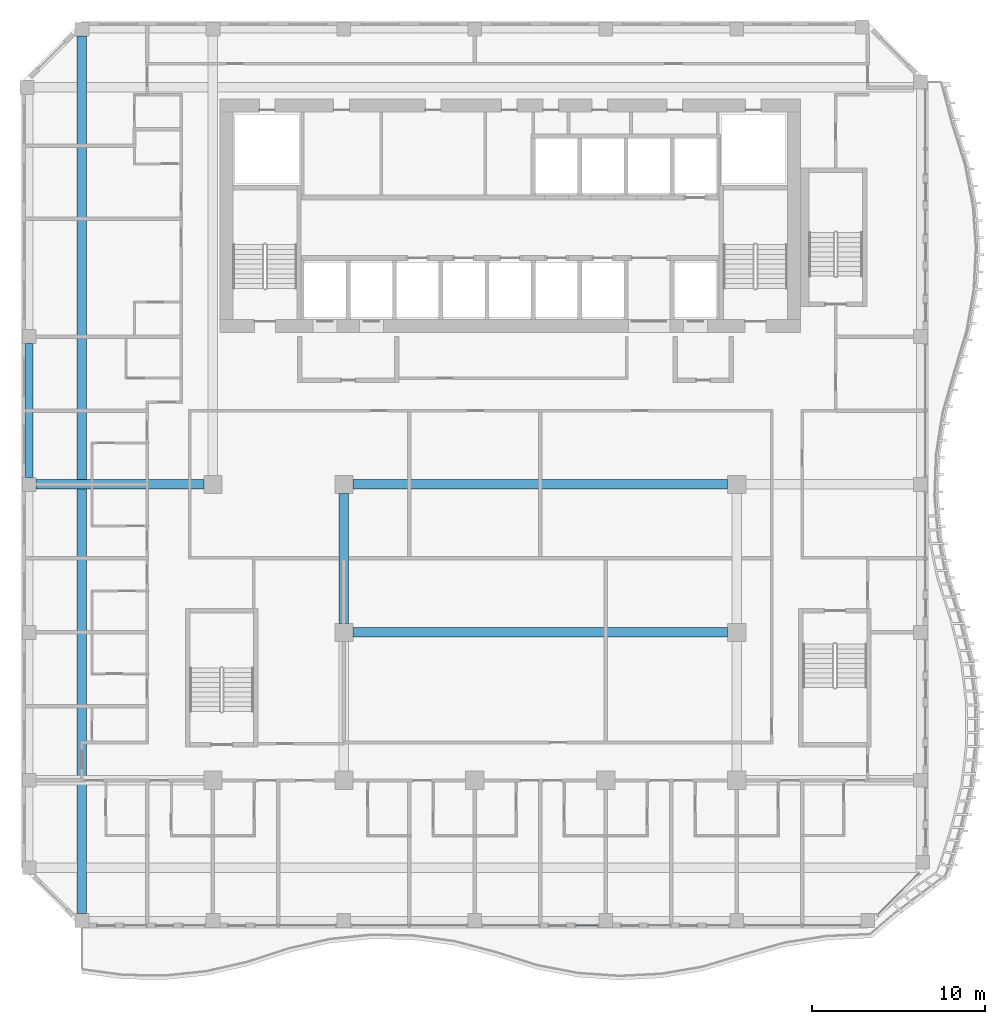
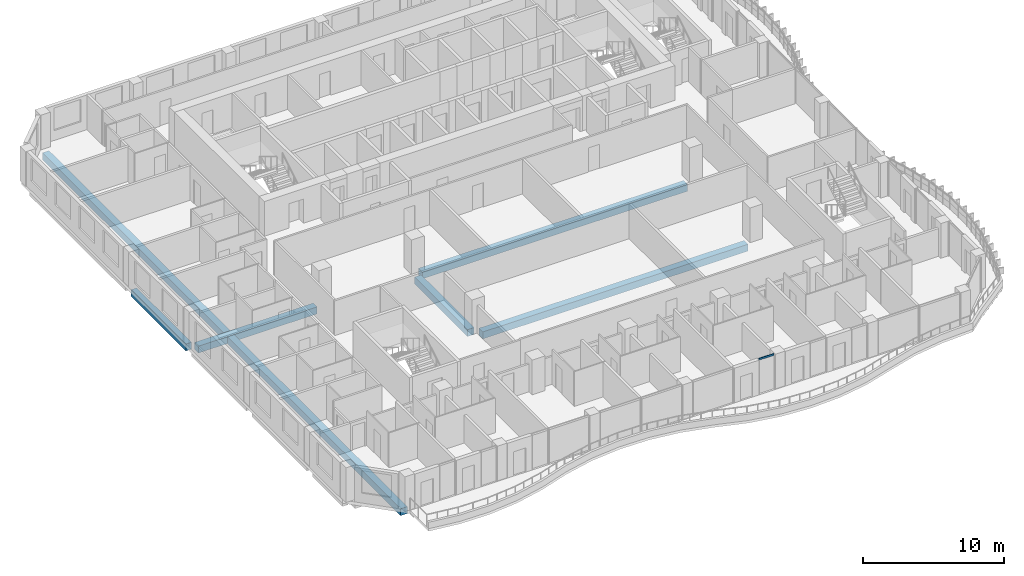
# One storey, part 5 of 24: 6 beams, 1 member, 1 element without a shape of its own.
"""IFC4 building model written with IfcOpenShell, lengths in metres."""

from ifc_helpers import new_model, si_unit, direction, frame, origin, origin_2d, place, context, subcontext, project, spatial, rectangle, extrude, source, transform, mapped, material, material_profile, profile_set, type_object, element, aggregate, save


model = new_model("IFC4")

# Units and contexts
model_context = context("Model", 3, precision=1e-05, world=origin(), true_north=direction((0.0, 1.0)))
body_context = subcontext(model_context, "Body", "Model", "MODEL_VIEW")
ifc_project = project(units=[si_unit("LENGTHUNIT", "METRE"), si_unit("AREAUNIT", "SQUARE_METRE"), si_unit("VOLUMEUNIT", "CUBIC_METRE"), si_unit("PLANEANGLEUNIT", "RADIAN"), si_unit("MASSUNIT", "GRAM", prefix="KILO")], contexts=[model_context])

# Site, building, storey
site_placement = place(None, origin())
site = spatial("IfcSite", under=ifc_project, at=site_placement, CompositionType="ELEMENT")
building_placement = place(site_placement, origin())
building = spatial("IfcBuilding", under=site, at=building_placement, Name="Kilnfold Tower and Market Hall", CompositionType="ELEMENT")
storey_placement = place(building_placement, frame((0.0, 0.0, 192.300048828125)))
storey = spatial("IfcBuildingStorey", under=building, at=storey_placement, Name="L46", CompositionType="ELEMENT", Elevation=192.300048828125)

# Beams
ifc_material_1 = material(Name="Concrete C45", Category="concrete")
ifc_material_profile_1 = material_profile(ifc_material_1, rectangle(XDim=0.550048828125, YDim=0.60009765625, at=origin_2d()), Name="RC 550x600")
ifc_profile_set_1 = profile_set([ifc_material_profile_1], Name="Concrete C45")
beam_type_1 = type_object("IfcBeamType", Name="BEAM 550X600 C45", PredefinedType="BEAM", material=ifc_profile_set_1)
shared_shape_1 = source(origin(), body_context, "Body", "SweptSolid", [
    extrude(rectangle(XDim=0.550048828125, YDim=0.60009765625, at=origin_2d()), origin(), (0.0, 0.0, 1.0), 50.7998046875),
])
beam_1_placement = place(storey_placement, frame((-23.75, -25.39990234375, -0.580078125), z_axis=(0.0, 1.0, 0.0), x_axis=(-1.0, 0.0, 0.0)))
element("IfcBeam", 1, at=beam_1_placement, inside=storey, type_object=beam_type_1, Name="Beam BB600-B5.70", PredefinedType="BEAM", context=body_context, shape_type="MappedRepresentation", body=[
    mapped(shared_shape_1, transform((0.0, 0.0, 0.0))),
])
shared_shape_2 = source(origin(), body_context, "Body", "SweptSolid", [
    extrude(rectangle(XDim=0.550048828125, YDim=0.60009765625, at=origin_2d()), origin(), (0.0, 0.0, 1.0), 9.708251953125),
])
beam_2_placement = place(storey_placement, frame((-26.39990234375, -0.56005859375, -0.580078125), z_axis=(1.0, 0.0, 0.0), x_axis=(0.0, 1.0, 0.0)))
element("IfcBeam", 2, at=beam_2_placement, inside=storey, type_object=beam_type_1, Name="Beam BB600-B5.55", PredefinedType="BEAM", context=body_context, shape_type="MappedRepresentation", body=[
    mapped(shared_shape_2, transform((0.0, 0.0, 0.0))),
])
shared_shape_3 = source(origin(), body_context, "Body", "SweptSolid", [
    extrude(rectangle(XDim=0.550048828125, YDim=0.60009765625, at=origin_2d()), origin(), (0.0, 0.0, 1.0), 21.699951171875),
])
for number, where, z_axis, x_axis, name in (
    (3, (-8.058349609375, -9.1201171875, -0.580078125), (1.0, 0.0, 0.0), (0.0, 1.0, 0.0), "Beam BB600-B5.54"),
    (4, (-8.058349609375, -0.56005859375, -0.580078125), (1.0, 0.0, 0.0), (0.0, 1.0, 0.0), "Beam BB600-B5.56"),
):
    element("IfcBeam", number, at=place(storey_placement, frame(where, z_axis=z_axis, x_axis=x_axis)), inside=storey, type_object=beam_type_1, Name=name, PredefinedType="BEAM", context=body_context, shape_type="MappedRepresentation", body=[
        mapped(shared_shape_3, transform((0.0, 0.0, 0.0))),
    ])
ifc_material_2 = material(Name="Concrete C45", Category="concrete")
ifc_material_profile_2 = material_profile(ifc_material_2, rectangle(XDim=0.449951171875, YDim=0.60009765625, at=origin_2d()), Name="RC 450x600")
ifc_profile_set_2 = profile_set([ifc_material_profile_2], Name="Concrete C45")
beam_type_2 = type_object("IfcBeamType", Name="EDGE BEAM 450X600 C45", PredefinedType="BEAM", material=ifc_profile_set_2)
shared_shape_4 = source(origin(), body_context, "Body", "SweptSolid", [
    extrude(rectangle(XDim=0.449951171875, YDim=0.60009765625, at=origin_2d()), origin(), (0.0, 0.0, 1.0), 7.7626953125),
])
beam_3_placement = place(storey_placement, frame((-26.800048828125, -0.16259765625, -0.580078125), z_axis=(0.0, 1.0, 0.0), x_axis=(-1.0, 0.0, 0.0)))
element("IfcBeam", 5, at=beam_3_placement, inside=storey, type_object=beam_type_2, Name="Beam EB600-B5.68", PredefinedType="BEAM", context=body_context, shape_type="MappedRepresentation", body=[
    mapped(shared_shape_4, transform((0.0, 0.0, 0.0))),
])
shared_shape_5 = source(origin(), body_context, "Body", "SweptSolid", [
    extrude(rectangle(XDim=0.550048828125, YDim=0.60009765625, at=origin_2d()), origin(), (0.0, 0.0, 1.0), 7.5126953125),
])
beam_4_placement = place(storey_placement, frame((-8.580078125, -8.60009765625, -0.580078125), z_axis=(0.0, 1.0, 0.0), x_axis=(-1.0, 0.0, 0.0)))
element("IfcBeam", 6, at=beam_4_placement, inside=storey, type_object=beam_type_1, Name="Beam BB600-B5.72", PredefinedType="BEAM", context=body_context, shape_type="MappedRepresentation", body=[
    mapped(shared_shape_5, transform((0.0, 0.0, 0.0))),
])

# Curtain wall, member
ifc_material_3 = material(Name="Aluminium and double glazing", Category="aluminium")
curtain_wall_type = type_object("IfcCurtainWallType", Name="CW GARDEN HOTEL WINTER GARDEN", PredefinedType="NOTDEFINED", material=ifc_material_3)
curtain_wall_placement = place(storey_placement, origin())
curtain_wall = element("IfcCurtainWall", 7, at=curtain_wall_placement, inside=storey, type_object=curtain_wall_type, Name="Curtain wall CW5 L46 S", PredefinedType="NOTDEFINED")
ifc_material_4 = material(Name="Aluminium", Category="aluminium")
ifc_material_profile_3 = material_profile(ifc_material_4, rectangle(XDim=0.06494140625, YDim=0.14990234375, at=origin_2d()), Name="TRANSOM 65x150")
ifc_profile_set_3 = profile_set([ifc_material_profile_3], Name="Aluminium")
member_type = type_object("IfcMemberType", Name="TRANSOM 65X150", PredefinedType="USERDEFINED", material=ifc_profile_set_3)
shared_shape_6 = source(origin(), body_context, "Body", "SweptSolid", [
    extrude(rectangle(XDim=0.06494140625, YDim=0.14990234375, at=origin_2d()), origin(), (0.0, 0.0, 1.0), 1.26171875),
])
member_placement = place(storey_placement, frame((4.856689453125, -26.10009765625, 2.967529296875), z_axis=(1.0, 0.0, 0.0), x_axis=(0.0, 1.0, 0.0)))
member = element("IfcMember", 8, at=member_placement, type_object=member_type, Name="CW5 transom 1.2", ObjectType="TRANSOM", PredefinedType="USERDEFINED", context=body_context, shape_type="MappedRepresentation", body=[
    mapped(shared_shape_6, transform((0.0, 0.0, 0.0))),
])
aggregate(curtain_wall, [member])

save(model, "model.ifc")
